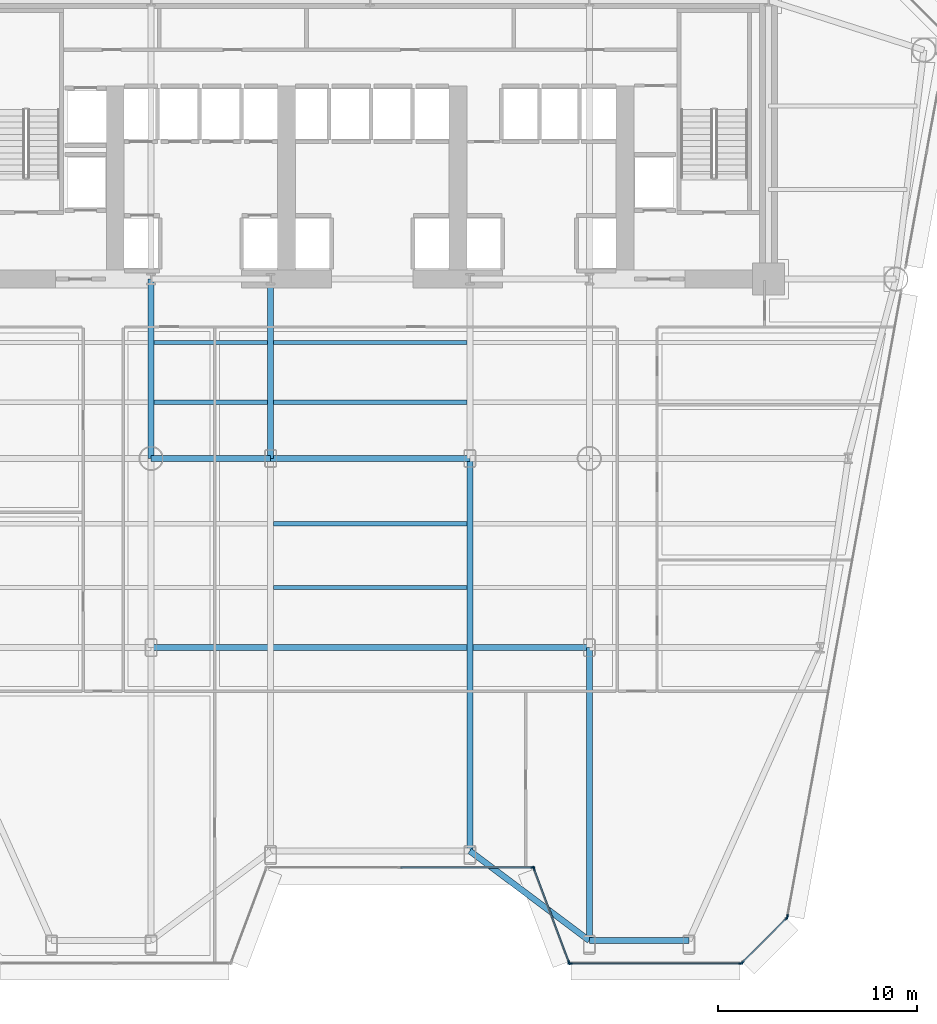
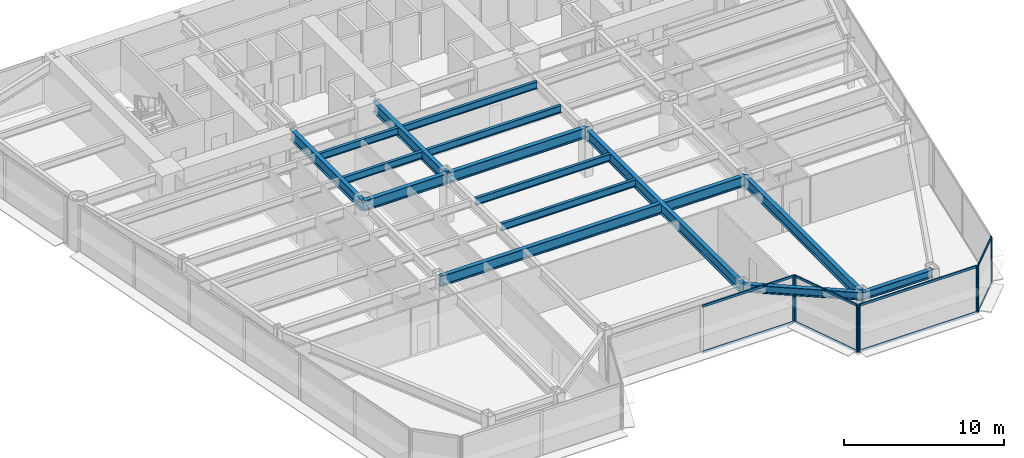
# One storey, part 3 of 14: 16 members, 15 beams, 5 elements without a shape of their own.
"""IFC4 building model written with IfcOpenShell, lengths in metres."""

from ifc_helpers import new_model, si_unit, direction, frame, origin, origin_2d, place, context, subcontext, project, spatial, rectangle, i_section, extrude, source, transform, mapped, material, layer, layer_set, material_profile, profile_set, type_object, element, aggregate, save


model = new_model("IFC4")

# Units and contexts
model_context = context("Model", 3, precision=1e-05, world=origin(), true_north=direction((0.0, 1.0)))
body_context = subcontext(model_context, "Body", "Model", "MODEL_VIEW")
ifc_project = project(units=[si_unit("LENGTHUNIT", "METRE"), si_unit("AREAUNIT", "SQUARE_METRE"), si_unit("VOLUMEUNIT", "CUBIC_METRE"), si_unit("PLANEANGLEUNIT", "RADIAN"), si_unit("MASSUNIT", "GRAM", prefix="KILO")], contexts=[model_context])

# Site, building, storey
site_placement = place(None, origin())
site = spatial("IfcSite", under=ifc_project, at=site_placement, CompositionType="ELEMENT")
building_placement = place(site_placement, origin())
building = spatial("IfcBuilding", under=site, at=building_placement, Name="Vaeldorn Concourse Tower", CompositionType="ELEMENT")
storey_placement = place(building_placement, frame((0.0, 0.0, 53.0)))
storey = spatial("IfcBuildingStorey", under=building, at=storey_placement, Name="L13", CompositionType="ELEMENT", Elevation=53.0)

# Beams
ifc_material_1 = material(Name="Steel S355", Category="steel")
ifc_material_profile_1 = material_profile(ifc_material_1, i_section(OverallWidth=0.300048828125, OverallDepth=0.800048828125, WebThickness=0.017578125, FlangeThickness=0.032958984375, FilletRadius=0.030029296875, at=origin_2d()), Name="HEB 800")
ifc_profile_set_1 = profile_set([ifc_material_profile_1], Name="Steel S355")
beam_type_1 = type_object("IfcBeamType", Name="BM-PG-HEB800", PredefinedType="BEAM", material=ifc_profile_set_1)
shared_shape_1 = source(origin(), body_context, "Body", "SweptSolid", [
    extrude(i_section(OverallWidth=0.300048828125, OverallDepth=0.800048828125, WebThickness=0.017578125, FlangeThickness=0.032958984375, FilletRadius=0.030029296875, at=origin_2d()), origin(), (0.0, 0.0, 1.0), 6.0),
])
beam_1_placement = place(storey_placement, frame((23.0, 27.5, 3.179931640625), z_axis=(1.0, 0.0, 0.0), x_axis=(0.0, 1.0, 0.0)))
element("IfcBeam", 1, at=beam_1_placement, inside=storey, type_object=beam_type_1, Name="Beam BM-L13-C-TW1-C-TW2", PredefinedType="BEAM", context=body_context, shape_type="MappedRepresentation", body=[
    mapped(shared_shape_1, transform((0.0, 0.0, 0.0), scale=1.0)),
])
shared_shape_2 = source(origin(), body_context, "Body", "SweptSolid", [
    extrude(i_section(OverallWidth=0.300048828125, OverallDepth=0.800048828125, WebThickness=0.017578125, FlangeThickness=0.032958984375, FilletRadius=0.030029296875, at=origin_2d()), origin(), (0.0, 0.0, 1.0), 10.0),
])
beam_2_placement = place(storey_placement, frame((29.0, 27.5, 3.179931640625), z_axis=(1.0, 0.0, 0.0), x_axis=(0.0, 1.0, 0.0)))
element("IfcBeam", 2, at=beam_2_placement, inside=storey, type_object=beam_type_1, Name="Beam BM-L13-C-TW2-C-TW3", PredefinedType="BEAM", context=body_context, shape_type="MappedRepresentation", body=[
    mapped(shared_shape_2, transform((0.0, 0.0, 0.0), scale=1.0)),
])
shared_shape_3 = source(origin(), body_context, "Body", "SweptSolid", [
    extrude(i_section(OverallWidth=0.300048828125, OverallDepth=0.800048828125, WebThickness=0.017578125, FlangeThickness=0.032958984375, FilletRadius=0.030029296875, at=origin_2d()), origin(), (0.0, 0.0, 1.0), 9.0),
])
for number, where, z_axis, x_axis, name in (
    (3, (23.0, 27.5, 3.179931640625), (0.0, 1.0, 0.0), (-1.0, 0.0, 0.0), "Beam BM-L13-C-TW1-C-FC2"),
    (4, (29.0, 27.5, 3.179931640625), (0.0, 1.0, 0.0), (-1.0, 0.0, 0.0), "Beam BM-L13-C-TW2-C-FC3"),
):
    element("IfcBeam", number, at=place(storey_placement, frame(where, z_axis=z_axis, x_axis=x_axis)), inside=storey, type_object=beam_type_1, Name=name, PredefinedType="BEAM", context=body_context, shape_type="MappedRepresentation", body=[
        mapped(shared_shape_3, transform((0.0, 0.0, 0.0), scale=1.0)),
    ])
ifc_material_profile_2 = material_profile(ifc_material_1, i_section(OverallWidth=0.300048828125, OverallDepth=0.60009765625, WebThickness=0.015380859375, FlangeThickness=0.030029296875, FilletRadius=0.027099609375, at=origin_2d()), Name="HEB 600")
ifc_profile_set_2 = profile_set([ifc_material_profile_2], Name="Steel S355")
beam_type_2 = type_object("IfcBeamType", Name="BM-SP-HEB600", PredefinedType="SPANDREL", material=ifc_profile_set_2)
shared_shape_4 = source(origin(), body_context, "Body", "SweptSolid", [
    extrude(i_section(OverallWidth=0.300048828125, OverallDepth=0.60009765625, WebThickness=0.015380859375, FlangeThickness=0.030029296875, FilletRadius=0.027099609375, at=origin_2d()), origin(), (0.0, 0.0, 1.0), 5.0),
])
beam_3_placement = place(storey_placement, frame((45.0, 3.290771484375, 3.280029296875), z_axis=(1.0, 0.0, 0.0), x_axis=(0.0, 1.0, 0.0)))
element("IfcBeam", 5, at=beam_3_placement, inside=storey, type_object=beam_type_2, Name="Beam BM-L13-C-SF5-C-SF6", PredefinedType="SPANDREL", context=body_context, shape_type="MappedRepresentation", body=[
    mapped(shared_shape_4, transform((0.0, 0.0, 0.0), scale=1.0)),
])
shared_shape_5 = source(origin(), body_context, "Body", "SweptSolid", [
    extrude(i_section(OverallWidth=0.300048828125, OverallDepth=0.60009765625, WebThickness=0.015380859375, FlangeThickness=0.030029296875, FilletRadius=0.027099609375, at=origin_2d()), origin(), (0.0, 0.0, 1.0), 7.5),
])
beam_4_placement = place(storey_placement, frame((39.0, 7.790771484375, 3.280029296875), z_axis=(0.8, -0.6, 0.0), x_axis=(0.6, 0.8, 0.0)))
element("IfcBeam", 6, at=beam_4_placement, inside=storey, type_object=beam_type_2, Name="Beam BM-L13-C-SF4-C-SF5", PredefinedType="SPANDREL", context=body_context, shape_type="MappedRepresentation", body=[
    mapped(shared_shape_5, transform((0.0, 0.0, 0.0), scale=1.0)),
])
shared_shape_6 = source(origin(), body_context, "Body", "SweptSolid", [
    extrude(i_section(OverallWidth=0.300048828125, OverallDepth=0.800048828125, WebThickness=0.017578125, FlangeThickness=0.032958984375, FilletRadius=0.030029296875, at=origin_2d()), origin(), (0.0, 0.0, 1.0), 22.0),
])
beam_5_placement = place(storey_placement, frame((23.0, 18.0, 3.179931640625), z_axis=(1.0, 0.0, 0.0), x_axis=(0.0, 1.0, 0.0)))
element("IfcBeam", 7, at=beam_5_placement, inside=storey, type_object=beam_type_1, Name="Beam BM-L13-C-TW5-C-TW6", PredefinedType="BEAM", context=body_context, shape_type="MappedRepresentation", body=[
    mapped(shared_shape_6, transform((0.0, 0.0, 0.0), scale=1.0)),
])
ifc_material_profile_3 = material_profile(ifc_material_1, i_section(OverallWidth=0.2099609375, OverallDepth=0.550048828125, WebThickness=0.010986328125, FlangeThickness=0.01708984375, FilletRadius=0.02392578125, at=origin_2d()), Name="IPE 550")
ifc_profile_set_3 = profile_set([ifc_material_profile_3], Name="Steel S355")
beam_type_3 = type_object("IfcBeamType", Name="BM-JS-IPE550", PredefinedType="JOIST", material=ifc_profile_set_3)
shared_shape_7 = source(origin(), body_context, "Body", "SweptSolid", [
    extrude(i_section(OverallWidth=0.2099609375, OverallDepth=0.550048828125, WebThickness=0.010986328125, FlangeThickness=0.01708984375, FilletRadius=0.02392578125, at=origin_2d()), origin(), (0.0, 0.0, 1.0), 5.7001953125),
])
for number, where, z_axis, x_axis, name in (
    (8, (23.14990234375, 30.320068359375, 3.304931640625), (1.0, 0.0, 0.0), (0.0, 1.0, 0.0), "Beam JS-L13-W2-303"),
    (9, (23.14990234375, 33.320068359375, 3.304931640625), (1.0, 0.0, 0.0), (0.0, 1.0, 0.0), "Beam JS-L13-W2-333"),
):
    element("IfcBeam", number, at=place(storey_placement, frame(where, z_axis=z_axis, x_axis=x_axis)), inside=storey, type_object=beam_type_3, Name=name, PredefinedType="JOIST", context=body_context, shape_type="MappedRepresentation", body=[
        mapped(shared_shape_7, transform((0.0, 0.0, 0.0), scale=1.0)),
    ])
shared_shape_8 = source(origin(), body_context, "Body", "SweptSolid", [
    extrude(i_section(OverallWidth=0.2099609375, OverallDepth=0.550048828125, WebThickness=0.010986328125, FlangeThickness=0.01708984375, FilletRadius=0.02392578125, at=origin_2d()), origin(), (0.0, 0.0, 1.0), 9.7001953125),
])
for number, where, z_axis, x_axis, name in (
    (10, (29.14990234375, 21.02001953125, 3.304931640625), (1.0, 0.0, 0.0), (0.0, 1.0, 0.0), "Beam JS-L13-C-210"),
    (11, (29.14990234375, 24.219970703125, 3.304931640625), (1.0, 0.0, 0.0), (0.0, 1.0, 0.0), "Beam JS-L13-C-242"),
    (12, (29.14990234375, 30.320068359375, 3.304931640625), (1.0, 0.0, 0.0), (0.0, 1.0, 0.0), "Beam JS-L13-C-303"),
    (13, (29.14990234375, 33.320068359375, 3.304931640625), (1.0, 0.0, 0.0), (0.0, 1.0, 0.0), "Beam JS-L13-C-333"),
):
    element("IfcBeam", number, at=place(storey_placement, frame(where, z_axis=z_axis, x_axis=x_axis)), inside=storey, type_object=beam_type_3, Name=name, PredefinedType="JOIST", context=body_context, shape_type="MappedRepresentation", body=[
        mapped(shared_shape_8, transform((0.0, 0.0, 0.0), scale=1.0)),
    ])
shared_shape_9 = source(origin(), body_context, "Body", "SweptSolid", [
    extrude(i_section(OverallWidth=0.300048828125, OverallDepth=0.800048828125, WebThickness=0.017578125, FlangeThickness=0.032958984375, FilletRadius=0.030029296875, at=origin_2d()), origin(), (0.0, 0.0, 1.0), 14.709228515625),
])
beam_6_placement = place(storey_placement, frame((45.0, 3.290771484375, 3.179931640625), z_axis=(0.0, 1.0, 0.0), x_axis=(-1.0, 0.0, 0.0)))
element("IfcBeam", 14, at=beam_6_placement, inside=storey, type_object=beam_type_1, Name="Beam BM-L13-C-SF5-C-TW6", PredefinedType="BEAM", context=body_context, shape_type="MappedRepresentation", body=[
    mapped(shared_shape_9, transform((0.0, 0.0, 0.0), scale=1.0)),
])
shared_shape_10 = source(origin(), body_context, "Body", "SweptSolid", [
    extrude(i_section(OverallWidth=0.300048828125, OverallDepth=0.800048828125, WebThickness=0.017578125, FlangeThickness=0.032958984375, FilletRadius=0.030029296875, at=origin_2d()), origin(), (0.0, 0.0, 1.0), 19.709228515625),
])
beam_7_placement = place(storey_placement, frame((39.0, 7.790771484375, 3.179931640625), z_axis=(0.0, 1.0, 0.0), x_axis=(-1.0, 0.0, 0.0)))
element("IfcBeam", 15, at=beam_7_placement, inside=storey, type_object=beam_type_1, Name="Beam BM-L13-C-SF4-C-TW3", PredefinedType="BEAM", context=body_context, shape_type="MappedRepresentation", body=[
    mapped(shared_shape_10, transform((0.0, 0.0, 0.0), scale=1.0)),
])

# Curtain wall, members
ifc_material_2 = material(Name="Anodised Bronze Aluminium", Category="aluminium")
ifc_layer = layer(ifc_material_2, 0.219970703125)
ifc_layer_set = layer_set([ifc_layer], Name="Anodised Bronze Aluminium")
curtain_wall_type = type_object("IfcCurtainWallType", Name="CW-SYS-01", PredefinedType="NOTDEFINED", material=ifc_layer_set)
curtain_wall_1_placement = place(storey_placement, origin())
curtain_wall_1 = element("IfcCurtainWall", 16, at=curtain_wall_1_placement, inside=storey, type_object=curtain_wall_type, Name="Unitised Curtain Wall CW-L13-E03-1", PredefinedType="NOTDEFINED")
ifc_material_profile_4 = material_profile(ifc_material_2, rectangle(XDim=0.074951171875, YDim=0.179931640625, at=origin_2d()), Name="CWT 75x180")
ifc_profile_set_4 = profile_set([ifc_material_profile_4], Name="Anodised Bronze Aluminium")
member_type_1 = type_object("IfcMemberType", Name="CWT-BRONZE-180", PredefinedType="USERDEFINED", material=ifc_profile_set_4)
shared_shape_11 = source(origin(), body_context, "Body", "SweptSolid", [
    extrude(rectangle(XDim=0.074951171875, YDim=0.179931640625, at=origin_2d()), origin(), (0.0, 0.0, 1.0), 6.58740234375),
])
member_1_placement = place(storey_placement, frame((35.53759765625, 6.95166015625, 0.03759765625), z_axis=(1.0, 0.0, 0.0), x_axis=(0.0, 1.0, 0.0)))
member_1 = element("IfcMember", 17, at=member_1_placement, type_object=member_type_1, Name="CW-01 transom 2.1", ObjectType="TRANSOM", PredefinedType="USERDEFINED", context=body_context, shape_type="MappedRepresentation", body=[
    mapped(shared_shape_11, transform((0.0, 0.0, 0.0), scale=1.0)),
])
member_2_placement = place(storey_placement, frame((35.53759765625, 6.95166015625, 3.54248046875), z_axis=(1.0, 0.0, 0.0), x_axis=(0.0, 1.0, 0.0)))
member_2 = element("IfcMember", 18, at=member_2_placement, type_object=member_type_1, Name="CW-01 transom 2.2", ObjectType="TRANSOM", PredefinedType="USERDEFINED", context=body_context, shape_type="MappedRepresentation", body=[
    mapped(shared_shape_11, transform((0.0, 0.0, 0.0), scale=1.0)),
])

curtain_wall_2_placement = place(storey_placement, origin())
curtain_wall_2 = element("IfcCurtainWall", 19, at=curtain_wall_2_placement, inside=storey, type_object=curtain_wall_type, Name="Unitised Curtain Wall CW-L13-E04-1", PredefinedType="NOTDEFINED")
shared_shape_12 = source(origin(), body_context, "Body", "SweptSolid", [
    extrude(rectangle(XDim=0.074951171875, YDim=0.179931640625, at=origin_2d()), origin(), (0.0, 0.0, 1.0), 4.9765625),
])
member_3_placement = place(storey_placement, frame((42.226318359375, 6.881591796875, 0.03759765625), z_axis=(0.351112688987, -0.936333209724, 0.0), x_axis=(0.936333209724, 0.351112688987, 0.0)))
member_3 = element("IfcMember", 20, at=member_3_placement, type_object=member_type_1, Name="CW-01 transom 1.1", ObjectType="TRANSOM", PredefinedType="USERDEFINED", context=body_context, shape_type="MappedRepresentation", body=[
    mapped(shared_shape_12, transform((0.0, 0.0, 0.0), scale=1.0)),
])
member_4_placement = place(storey_placement, frame((42.226318359375, 6.881591796875, 3.54248046875), z_axis=(0.351112688987, -0.936333209724, 0.0), x_axis=(0.936333209724, 0.351112688987, 0.0)))
member_4 = element("IfcMember", 21, at=member_4_placement, type_object=member_type_1, Name="CW-01 transom 1.2", ObjectType="TRANSOM", PredefinedType="USERDEFINED", context=body_context, shape_type="MappedRepresentation", body=[
    mapped(shared_shape_12, transform((0.0, 0.0, 0.0), scale=1.0)),
])

# Member
ifc_material_profile_5 = material_profile(ifc_material_2, rectangle(XDim=0.074951171875, YDim=0.219970703125, at=origin_2d()), Name="CWM 75x220")
ifc_profile_set_5 = profile_set([ifc_material_profile_5], Name="Anodised Bronze Aluminium")
member_type_2 = type_object("IfcMemberType", Name="CWM-BRONZE-220", PredefinedType="MULLION", material=ifc_profile_set_5)
shared_shape_13 = source(origin(), body_context, "Body", "SweptSolid", [
    extrude(rectangle(XDim=0.074951171875, YDim=0.219970703125, at=origin_2d()), origin(), (0.0, 0.0, 1.0), 3.580078125),
])
member_5_placement = place(storey_placement, frame((42.16259765625, 6.95166015625, 0.0), z_axis=(0.0, 0.0, 1.0), x_axis=(0.0, 1.0, 0.0)))
member_5 = element("IfcMember", 22, at=member_5_placement, type_object=member_type_2, Name="CW-01 mullion 3", PredefinedType="MULLION", context=body_context, shape_type="MappedRepresentation", body=[
    mapped(shared_shape_13, transform((0.0, 0.0, 0.0), scale=1.0)),
])

aggregate(curtain_wall_1, [member_5, member_1, member_2])

member_6_placement = place(storey_placement, frame((42.213134765625, 6.91650390625, 0.0), z_axis=(0.0, 0.0, 1.0), x_axis=(0.936329177566, 0.351123441595, 0.0)))
member_6 = element("IfcMember", 23, at=member_6_placement, type_object=member_type_2, Name="CW-01 mullion 1", PredefinedType="MULLION", context=body_context, shape_type="MappedRepresentation", body=[
    mapped(shared_shape_13, transform((0.0, 0.0, 0.0), scale=1.0)),
])

member_7_placement = place(storey_placement, frame((43.98681640625, 2.186767578125, 0.0), z_axis=(0.0, 0.0, 1.0), x_axis=(0.936329177566, 0.351123441595, 0.0)))
member_7 = element("IfcMember", 24, at=member_7_placement, type_object=member_type_2, Name="CW-01 mullion 2", PredefinedType="MULLION", context=body_context, shape_type="MappedRepresentation", body=[
    mapped(shared_shape_13, transform((0.0, 0.0, 0.0), scale=1.0)),
])

aggregate(curtain_wall_2, [member_6, member_7, member_3, member_4])

# Curtain wall, members
curtain_wall_3_placement = place(storey_placement, origin())
curtain_wall_3 = element("IfcCurtainWall", 25, at=curtain_wall_3_placement, inside=storey, type_object=curtain_wall_type, Name="Unitised Curtain Wall CW-L13-E05-1", PredefinedType="NOTDEFINED")
member_8_placement = place(storey_placement, frame((44.03759765625, 2.151611328125, 0.0), z_axis=(0.0, 0.0, 1.0), x_axis=(0.0, 1.0, 0.0)))
member_8 = element("IfcMember", 26, at=member_8_placement, type_object=member_type_2, Name="CW-01 mullion 1", PredefinedType="MULLION", context=body_context, shape_type="MappedRepresentation", body=[
    mapped(shared_shape_13, transform((0.0, 0.0, 0.0), scale=1.0)),
])
member_9_placement = place(storey_placement, frame((52.6025390625, 2.151611328125, 0.0), z_axis=(0.0, 0.0, 1.0), x_axis=(0.0, 1.0, 0.0)))
member_9 = element("IfcMember", 27, at=member_9_placement, type_object=member_type_2, Name="CW-01 mullion 2", PredefinedType="MULLION", context=body_context, shape_type="MappedRepresentation", body=[
    mapped(shared_shape_13, transform((0.0, 0.0, 0.0), scale=1.0)),
])

curtain_wall_4_placement = place(storey_placement, origin())
curtain_wall_4 = element("IfcCurtainWall", 28, at=curtain_wall_4_placement, inside=storey, type_object=curtain_wall_type, Name="Unitised Curtain Wall CW-L13-E06-1", PredefinedType="NOTDEFINED")
member_10_placement = place(storey_placement, frame((52.66650390625, 2.17822265625, 0.0), z_axis=(0.0, 0.0, 1.0), x_axis=(-0.707106781187, 0.707106781187, 0.0)))
member_10 = element("IfcMember", 29, at=member_10_placement, type_object=member_type_2, Name="CW-01 mullion 1", PredefinedType="MULLION", context=body_context, shape_type="MappedRepresentation", body=[
    mapped(shared_shape_13, transform((0.0, 0.0, 0.0), scale=1.0)),
])
member_11_placement = place(storey_placement, frame((54.91357421875, 4.42529296875, 0.0), z_axis=(0.0, 0.0, 1.0), x_axis=(-0.707106781187, 0.707106781187, 0.0)))
member_11 = element("IfcMember", 30, at=member_11_placement, type_object=member_type_2, Name="CW-01 mullion 2", PredefinedType="MULLION", context=body_context, shape_type="MappedRepresentation", body=[
    mapped(shared_shape_13, transform((0.0, 0.0, 0.0), scale=1.0)),
])

# Curtain wall, member
curtain_wall_5_placement = place(storey_placement, origin())
curtain_wall_5 = element("IfcCurtainWall", 31, at=curtain_wall_5_placement, inside=storey, type_object=curtain_wall_type, Name="Unitised Curtain Wall CW-L13-E07-1", PredefinedType="NOTDEFINED")
member_12_placement = place(storey_placement, frame((54.94677734375, 4.488525390625, 0.0), z_axis=(0.0, 0.0, 1.0), x_axis=(-0.983811609564, 0.179205794791, 0.0)))
member_12 = element("IfcMember", 32, at=member_12_placement, type_object=member_type_2, Name="CW-01 mullion 1", PredefinedType="MULLION", context=body_context, shape_type="MappedRepresentation", body=[
    mapped(shared_shape_13, transform((0.0, 0.0, 0.0), scale=1.0)),
])
aggregate(curtain_wall_5, [member_12])

# Member
shared_shape_14 = source(origin(), body_context, "Body", "SweptSolid", [
    extrude(rectangle(XDim=0.074951171875, YDim=0.179931640625, at=origin_2d()), origin(), (0.0, 0.0, 1.0), 3.1025390625),
])
member_13_placement = place(storey_placement, frame((52.693115234375, 2.204833984375, 0.03759765625), z_axis=(0.707106781187, 0.707106781187, 0.0), x_axis=(-0.707106781187, 0.707106781187, 0.0)))
member_13 = element("IfcMember", 33, at=member_13_placement, type_object=member_type_1, Name="CW-01 transom 1.1", ObjectType="TRANSOM", PredefinedType="USERDEFINED", context=body_context, shape_type="MappedRepresentation", body=[
    mapped(shared_shape_14, transform((0.0, 0.0, 0.0), scale=1.0)),
])

member_14_placement = place(storey_placement, frame((52.693115234375, 2.204833984375, 3.54248046875), z_axis=(0.707106781187, 0.707106781187, 0.0), x_axis=(-0.707106781187, 0.707106781187, 0.0)))
member_14 = element("IfcMember", 34, at=member_14_placement, type_object=member_type_1, Name="CW-01 transom 1.2", ObjectType="TRANSOM", PredefinedType="USERDEFINED", context=body_context, shape_type="MappedRepresentation", body=[
    mapped(shared_shape_14, transform((0.0, 0.0, 0.0), scale=1.0)),
])

aggregate(curtain_wall_4, [member_10, member_11, member_13, member_14])

shared_shape_15 = source(origin(), body_context, "Body", "SweptSolid", [
    extrude(rectangle(XDim=0.074951171875, YDim=0.179931640625, at=origin_2d()), origin(), (0.0, 0.0, 1.0), 8.489990234375),
])
member_15_placement = place(storey_placement, frame((44.074951171875, 2.151611328125, 0.03759765625), z_axis=(1.0, 0.0, 0.0), x_axis=(0.0, 1.0, 0.0)))
member_15 = element("IfcMember", 35, at=member_15_placement, type_object=member_type_1, Name="CW-01 transom 1.1", ObjectType="TRANSOM", PredefinedType="USERDEFINED", context=body_context, shape_type="MappedRepresentation", body=[
    mapped(shared_shape_15, transform((0.0, 0.0, 0.0), scale=1.0)),
])

member_16_placement = place(storey_placement, frame((44.074951171875, 2.151611328125, 3.54248046875), z_axis=(1.0, 0.0, 0.0), x_axis=(0.0, 1.0, 0.0)))
member_16 = element("IfcMember", 36, at=member_16_placement, type_object=member_type_1, Name="CW-01 transom 1.2", ObjectType="TRANSOM", PredefinedType="USERDEFINED", context=body_context, shape_type="MappedRepresentation", body=[
    mapped(shared_shape_15, transform((0.0, 0.0, 0.0), scale=1.0)),
])

aggregate(curtain_wall_3, [member_8, member_9, member_15, member_16])

save(model, "model.ifc")
